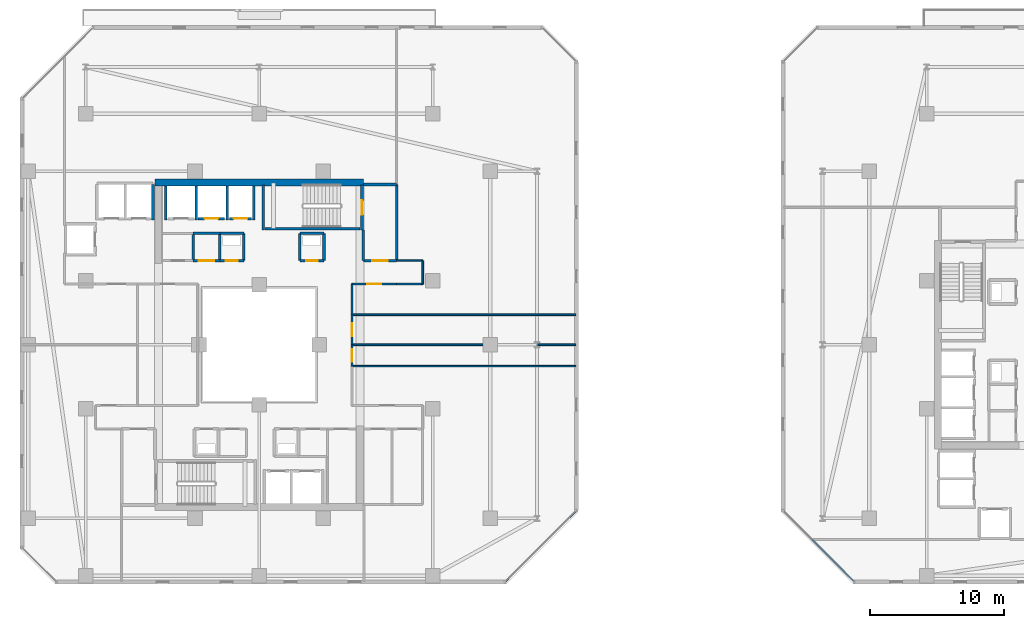
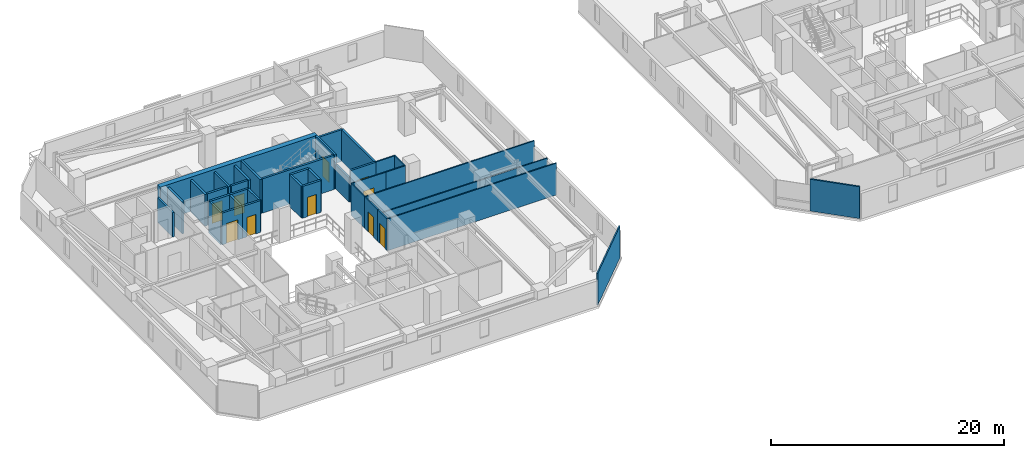
# One storey, part 21 of 33: 38 walls, 10 doors, 10 openings.
"""IFC4 building model written with IfcOpenShell, lengths in metres."""

from ifc_helpers import new_model, si_unit, direction, frame, frame_2d, origin, place, context, subcontext, project, spatial, rectangle, extrude, material, layer, layer_set, type_object, element, fill, save


model = new_model("IFC4")

# Units and contexts
model_context = context("Model", 3, precision=1e-05, world=origin(), true_north=direction((0.0, 1.0)))
body_context = subcontext(model_context, "Body", "Model", "MODEL_VIEW")
ifc_project = project(units=[si_unit("LENGTHUNIT", "METRE"), si_unit("AREAUNIT", "SQUARE_METRE"), si_unit("VOLUMEUNIT", "CUBIC_METRE"), si_unit("PLANEANGLEUNIT", "RADIAN"), si_unit("MASSUNIT", "GRAM", prefix="KILO")], contexts=[model_context])

# Site, building, storey
site_placement = place(None, origin())
site = spatial("IfcSite", under=ifc_project, at=site_placement, CompositionType="ELEMENT")
building_placement = place(site_placement, origin())
building = spatial("IfcBuilding", under=site, at=building_placement, Name="Thornwick Lancets Civic Towers", CompositionType="ELEMENT")
storey_placement = place(building_placement, frame((0.0, 0.0, 185.699951171875)))
storey = spatial("IfcBuildingStorey", under=building, at=storey_placement, Name="L49", CompositionType="ELEMENT", Elevation=185.699951171875)

# Wall, opening, door
ifc_material_1 = material(Name="Concrete blockwork C40/50", Category="masonry")
ifc_layer_1 = layer(ifc_material_1, 0.199951171875, Name="Concrete blockwork C40/50")
ifc_layer_set_1 = layer_set([ifc_layer_1], Name="Concrete blockwork C40/50")
wall_type_1 = type_object("IfcWallType", Name="WALL_COMP_200", PredefinedType="STANDARD", material=ifc_layer_set_1)
wall_1_placement = place(storey_placement, frame((24.919921875, 36.449951171875, 0.0), z_axis=(0.0, 0.0, 1.0), x_axis=(-1.0, 0.0, 0.0)))
wall_1 = element("IfcWall", 1, at=wall_1_placement, inside=storey, type_object=wall_type_1, Name="L49 Hoistway Front Wall FL-A2", PredefinedType="STANDARD", context=body_context, shape_type="SweptSolid", body=[
    extrude(rectangle(XDim=1.639892578125, YDim=0.199951171875, at=frame_2d((0.81982421875, 0.0))), origin(), (0.0, 0.0, 1.0), 3.340087890625),
])
opening_1_placement = place(wall_1_placement, frame((0.31005859375, 0.0, 0.0)))
opening_1 = element("IfcOpeningElement", 2, at=opening_1_placement, cuts=wall_1, Name="Opening LD-FL-A2", PredefinedType="OPENING", context=body_context, shape_type="SweptSolid", body=[
    extrude(rectangle(XDim=1.02001953125, YDim=2.06005859375, at=frame_2d((0.510009765625, 1.030029296875))), frame((0.0, 0.10986328125, 0.0), z_axis=(0.0, -1.0, 0.0), x_axis=(1.0, 0.0, 0.0)), (0.0, 0.0, 1.0), 0.219970703125),
])
ifc_material_2 = material(Name="Brushed bronze stainless steel", Category="steel")
door_type_1 = type_object("IfcDoorType", Name="DOOR_LIFT_SLIDE", OperationType="SLIDING_TO_LEFT", PredefinedType="DOOR", material=ifc_material_2)
door_1_placement = place(opening_1_placement, origin())
door_1 = element("IfcDoor", 3, at=door_1_placement, inside=storey, type_object=door_type_1, Name="L49 Sliding Lift Landing Door LD-FL-A2", OperationType="SLIDING_TO_LEFT", OverallHeight=2.06005859375, OverallWidth=1.02001953125, PredefinedType="DOOR", context=body_context, shape_type="SweptSolid", body=[
    extrude(rectangle(XDim=1.02001953125, YDim=2.06005859375, at=frame_2d((0.510009765625, 1.030029296875))), frame((0.0, 0.02490234375, 0.0), z_axis=(0.0, -1.0, 0.0), x_axis=(1.0, 0.0, 0.0)), (0.0, 0.0, 1.0), 0.050048828125),
])
fill(opening_1, door_1)

wall_2_placement = place(storey_placement, frame((22.919921875, 36.449951171875, 0.0), z_axis=(0.0, 0.0, 1.0), x_axis=(-1.0, 0.0, 0.0)))
wall_2 = element("IfcWall", 4, at=wall_2_placement, inside=storey, type_object=wall_type_1, Name="L49 Hoistway Front Wall PL-AH2", PredefinedType="STANDARD", context=body_context, shape_type="SweptSolid", body=[
    extrude(rectangle(XDim=1.989990234375, YDim=0.199951171875, at=frame_2d((0.9951171875, 0.0))), origin(), (0.0, 0.0, 1.0), 3.340087890625),
])
opening_2_placement = place(wall_2_placement, frame((0.485107421875, 0.0, 0.0)))
opening_2 = element("IfcOpeningElement", 5, at=opening_2_placement, cuts=wall_2, Name="Opening LD-PL-AH2", PredefinedType="OPENING", context=body_context, shape_type="SweptSolid", body=[
    extrude(rectangle(XDim=1.02001953125, YDim=2.06005859375, at=frame_2d((0.510009765625, 1.030029296875))), frame((0.0, 0.10986328125, 0.0), z_axis=(0.0, -1.0, 0.0), x_axis=(1.0, 0.0, 0.0)), (0.0, 0.0, 1.0), 0.219970703125),
])
door_2_placement = place(opening_2_placement, origin())
door_2 = element("IfcDoor", 6, at=door_2_placement, inside=storey, type_object=door_type_1, Name="L49 Sliding Lift Landing Door LD-PL-AH2", OperationType="SLIDING_TO_LEFT", OverallHeight=2.06005859375, OverallWidth=1.02001953125, PredefinedType="DOOR", context=body_context, shape_type="SweptSolid", body=[
    extrude(rectangle(XDim=1.02001953125, YDim=2.06005859375, at=frame_2d((0.510009765625, 1.030029296875))), frame((0.0, 0.02490234375, 0.0), z_axis=(0.0, -1.0, 0.0), x_axis=(1.0, 0.0, 0.0)), (0.0, 0.0, 1.0), 0.050048828125),
])
fill(opening_2, door_2)

# Walls
for number, where, z_axis, x_axis, name in (
    (7, (25.10009765625, 36.35205078125, 0.0), (0.0, 0.0, 1.0), (0.0, 1.0, 0.0), "L49 Hoistway Shaft Wall FL-A2 E"),
    (8, (23.10009765625, 36.35205078125, 0.0), (0.0, 0.0, 1.0), (0.0, 1.0, 0.0), "L49 Hoistway Shaft Wall FL-A2 W"),
    (9, (20.77490234375, 36.35205078125, 0.0), (0.0, 0.0, 1.0), (0.0, 1.0, 0.0), "L49 Hoistway Shaft Wall PL-AH2 W"),
    (10, (18.5, 36.35205078125, 0.0), (0.0, 0.0, 1.0), (0.0, 1.0, 0.0), "L49 Hoistway Shaft Wall PL-AH3 W"),
):
    element("IfcWall", number, at=place(storey_placement, frame(where, z_axis=z_axis, x_axis=x_axis)), inside=storey, type_object=wall_type_1, Name=name, PredefinedType="STANDARD", context=body_context, shape_type="SweptSolid", body=[
        extrude(rectangle(XDim=2.535888671875, YDim=0.199951171875, at=frame_2d((1.26806640625, 0.0))), origin(), (0.0, 0.0, 1.0), 3.340087890625),
    ])
wall_3_placement = place(storey_placement, frame((17.550048828125, 36.35205078125, 0.0), z_axis=(0.0, 0.0, 1.0), x_axis=(0.0, 1.0, 0.0)))
element("IfcWall", 11, at=wall_3_placement, inside=storey, type_object=wall_type_1, Name="L49 Hoistway Shaft Wall PL-AM1 E", PredefinedType="STANDARD", context=body_context, shape_type="SweptSolid", body=[
    extrude(rectangle(XDim=2.635986328125, YDim=0.199951171875, at=frame_2d((1.31787109375, 0.0))), origin(), (0.0, 0.0, 1.0), 2.545166015625),
])

# Wall, opening, door
wall_4_placement = place(storey_placement, frame((33.300048828125, 33.300048828125, 0.0), z_axis=(0.0, 0.0, 1.0), x_axis=(1.0, 0.0, 0.0)))
wall_4 = element("IfcWall", 12, at=wall_4_placement, inside=storey, type_object=wall_type_1, Name="L49 Partition L49-A-FFLOB2 E1", PredefinedType="STANDARD", context=body_context, shape_type="SweptSolid", body=[
    extrude(rectangle(XDim=2.5, YDim=0.199951171875, at=frame_2d((1.25, 0.0))), origin(), (0.0, 0.0, 1.0), 3.340087890625),
])
opening_3_placement = place(wall_4_placement, frame((0.675048828125, 0.0, 0.0)))
opening_3 = element("IfcOpeningElement", 13, at=opening_3_placement, cuts=wall_4, Name="Opening D-L49-2162", PredefinedType="OPENING", context=body_context, shape_type="SweptSolid", body=[
    extrude(rectangle(XDim=1.14990234375, YDim=2.10009765625, at=frame_2d((0.574951171875, 1.050048828125))), frame((0.0, 0.10986328125, 0.0), z_axis=(0.0, -1.0, 0.0), x_axis=(1.0, 0.0, 0.0)), (0.0, 0.0, 1.0), 0.219970703125),
])
ifc_material_3 = material(Name="Glazed fire-resisting steel", Category="steel")
door_type_2 = type_object("IfcDoorType", Name="DOOR_LOBBY_FD60", OperationType="NOTDEFINED", PredefinedType="DOOR", material=ifc_material_3)
door_3_placement = place(opening_3_placement, origin())
door_3 = element("IfcDoor", 14, at=door_3_placement, inside=storey, type_object=door_type_2, Name="L49 North Firefighting Lobby 2 Door", OperationType="SINGLE_SWING_LEFT", OverallHeight=2.10009765625, OverallWidth=1.14990234375, PredefinedType="DOOR", context=body_context, shape_type="SweptSolid", body=[
    extrude(rectangle(XDim=1.14990234375, YDim=2.10009765625, at=frame_2d((0.574951171875, 1.050048828125))), frame((0.0, 0.02490234375, 0.0), z_axis=(0.0, -1.0, 0.0), x_axis=(1.0, 0.0, 0.0)), (0.0, 0.0, 1.0), 0.050048828125),
])
fill(opening_3, door_3)

# Walls
wall_5_placement = place(storey_placement, frame((35.800048828125, 33.300048828125, 0.0), z_axis=(0.0, 0.0, 1.0), x_axis=(0.0, 1.0, 0.0)))
element("IfcWall", 15, at=wall_5_placement, inside=storey, type_object=wall_type_1, Name="L49 Partition L49-A-FFLOB2 E2", PredefinedType="STANDARD", context=body_context, shape_type="SweptSolid", body=[
    extrude(rectangle(XDim=5.699951171875, YDim=0.199951171875, at=frame_2d((2.85009765625, 0.0))), origin(), (0.0, 0.0, 1.0), 3.340087890625),
])
wall_6_placement = place(storey_placement, frame((35.800048828125, 39.0, 0.0), z_axis=(0.0, 0.0, 1.0), x_axis=(-1.0, 0.0, 0.0)))
element("IfcWall", 16, at=wall_6_placement, inside=storey, type_object=wall_type_1, Name="L49 Partition L49-A-FFLOB2 E3", PredefinedType="STANDARD", context=body_context, shape_type="SweptSolid", body=[
    extrude(rectangle(XDim=2.5, YDim=0.199951171875, at=frame_2d((1.25, 0.0))), origin(), (0.0, 0.0, 1.0), 3.340087890625),
])
wall_7_placement = place(storey_placement, frame((33.300048828125, 35.60009765625, 0.0), z_axis=(0.0, 0.0, 1.0), x_axis=(0.0, -1.0, 0.0)))
element("IfcWall", 17, at=wall_7_placement, inside=storey, type_object=wall_type_1, Name="L49 Partition L49-A-FFLOB2 E4", PredefinedType="STANDARD", context=body_context, shape_type="SweptSolid", body=[
    extrude(rectangle(XDim=2.300048828125, YDim=0.199951171875, at=frame_2d((1.14990234375, 0.0))), origin(), (0.0, 0.0, 1.0), 2.545166015625),
])

# Wall, opening, door
wall_8_placement = place(storey_placement, frame((22.550048828125, 33.300048828125, 0.0), z_axis=(0.0, 0.0, 1.0), x_axis=(1.0, 0.0, 0.0)))
wall_8 = element("IfcWall", 18, at=wall_8_placement, inside=storey, type_object=wall_type_1, Name="L49 Partition L49-A-DUCT2 E1", PredefinedType="STANDARD", context=body_context, shape_type="SweptSolid", body=[
    extrude(rectangle(XDim=1.800048828125, YDim=0.199951171875, at=frame_2d((0.89990234375, 0.0))), origin(), (0.0, 0.0, 1.0), 3.340087890625),
])
opening_4_placement = place(wall_8_placement, frame((0.4599609375, 0.0, 0.0)))
opening_4 = element("IfcOpeningElement", 19, at=opening_4_placement, cuts=wall_8, Name="Opening D-L49-2165", PredefinedType="OPENING", context=body_context, shape_type="SweptSolid", body=[
    extrude(rectangle(XDim=0.8798828125, YDim=2.0400390625, at=frame_2d((0.43994140625, 1.02001953125))), frame((0.0, 0.10986328125, 0.0), z_axis=(0.0, -1.0, 0.0), x_axis=(1.0, 0.0, 0.0)), (0.0, 0.0, 1.0), 0.219970703125),
])
ifc_material_4 = material(Name="Steel riser access doorset", Category="steel")
door_type_3 = type_object("IfcDoorType", Name="DOOR_RISER_850", OperationType="NOTDEFINED", PredefinedType="DOOR", material=ifc_material_4)
door_4_placement = place(opening_4_placement, origin())
door_4 = element("IfcDoor", 20, at=door_4_placement, inside=storey, type_object=door_type_3, Name="L49 North Service Duct 2 Door", OperationType="SINGLE_SWING_RIGHT", OverallHeight=2.0400390625, OverallWidth=0.8798828125, PredefinedType="DOOR", context=body_context, shape_type="SweptSolid", body=[
    extrude(rectangle(XDim=0.8798828125, YDim=2.0400390625, at=frame_2d((0.43994140625, 1.02001953125))), frame((0.0, 0.02490234375, 0.0), z_axis=(0.0, -1.0, 0.0), x_axis=(1.0, 0.0, 0.0)), (0.0, 0.0, 1.0), 0.050048828125),
])
fill(opening_4, door_4)

# Walls
wall_9_placement = place(storey_placement, frame((24.35009765625, 33.300048828125, 0.0), z_axis=(0.0, 0.0, 1.0), x_axis=(0.0, 1.0, 0.0)))
element("IfcWall", 21, at=wall_9_placement, inside=storey, type_object=wall_type_1, Name="L49 Partition L49-A-DUCT2 E2", PredefinedType="STANDARD", context=body_context, shape_type="SweptSolid", body=[
    extrude(rectangle(XDim=2.050048828125, YDim=0.199951171875, at=frame_2d((1.02490234375, 0.0))), origin(), (0.0, 0.0, 1.0), 3.340087890625),
])
wall_10_placement = place(storey_placement, frame((24.35009765625, 35.35009765625, 0.0), z_axis=(0.0, 0.0, 1.0), x_axis=(-1.0, 0.0, 0.0)))
element("IfcWall", 22, at=wall_10_placement, inside=storey, type_object=wall_type_1, Name="L49 Partition L49-A-DUCT2 E3", PredefinedType="STANDARD", context=body_context, shape_type="SweptSolid", body=[
    extrude(rectangle(XDim=1.800048828125, YDim=0.199951171875, at=frame_2d((0.89990234375, 0.0))), origin(), (0.0, 0.0, 1.0), 3.340087890625),
])
wall_11_placement = place(storey_placement, frame((22.550048828125, 35.35009765625, 0.0), z_axis=(0.0, 0.0, 1.0), x_axis=(0.0, -1.0, 0.0)))
element("IfcWall", 23, at=wall_11_placement, inside=storey, type_object=wall_type_1, Name="L49 Partition L49-A-DUCT2 E4", PredefinedType="STANDARD", context=body_context, shape_type="SweptSolid", body=[
    extrude(rectangle(XDim=2.050048828125, YDim=0.199951171875, at=frame_2d((1.02490234375, 0.0))), origin(), (0.0, 0.0, 1.0), 3.340087890625),
])

# Wall, opening, door
wall_12_placement = place(storey_placement, frame((28.550048828125, 33.300048828125, 0.0), z_axis=(0.0, 0.0, 1.0), x_axis=(1.0, 0.0, 0.0)))
wall_12 = element("IfcWall", 24, at=wall_12_placement, inside=storey, type_object=wall_type_1, Name="L49 Partition L49-A-RISER2 E1", PredefinedType="STANDARD", context=body_context, shape_type="SweptSolid", body=[
    extrude(rectangle(XDim=1.800048828125, YDim=0.199951171875, at=frame_2d((0.89990234375, 0.0))), origin(), (0.0, 0.0, 1.0), 3.340087890625),
])
opening_5_placement = place(wall_12_placement, frame((0.4599609375, 0.0, 0.0)))
opening_5 = element("IfcOpeningElement", 25, at=opening_5_placement, cuts=wall_12, Name="Opening D-L49-2166", PredefinedType="OPENING", context=body_context, shape_type="SweptSolid", body=[
    extrude(rectangle(XDim=0.8798828125, YDim=2.0400390625, at=frame_2d((0.43994140625, 1.02001953125))), frame((0.0, 0.10986328125, 0.0), z_axis=(0.0, -1.0, 0.0), x_axis=(1.0, 0.0, 0.0)), (0.0, 0.0, 1.0), 0.219970703125),
])
door_5_placement = place(opening_5_placement, origin())
door_5 = element("IfcDoor", 26, at=door_5_placement, inside=storey, type_object=door_type_3, Name="L49 North Service Riser 2 Door", OperationType="SINGLE_SWING_LEFT", OverallHeight=2.0400390625, OverallWidth=0.8798828125, PredefinedType="DOOR", context=body_context, shape_type="SweptSolid", body=[
    extrude(rectangle(XDim=0.8798828125, YDim=2.0400390625, at=frame_2d((0.43994140625, 1.02001953125))), frame((0.0, 0.02490234375, 0.0), z_axis=(0.0, -1.0, 0.0), x_axis=(1.0, 0.0, 0.0)), (0.0, 0.0, 1.0), 0.050048828125),
])
fill(opening_5, door_5)

# Walls
wall_13_placement = place(storey_placement, frame((30.35009765625, 33.300048828125, 0.0), z_axis=(0.0, 0.0, 1.0), x_axis=(0.0, 1.0, 0.0)))
element("IfcWall", 27, at=wall_13_placement, inside=storey, type_object=wall_type_1, Name="L49 Partition L49-A-RISER2 E2", PredefinedType="STANDARD", context=body_context, shape_type="SweptSolid", body=[
    extrude(rectangle(XDim=2.050048828125, YDim=0.199951171875, at=frame_2d((1.02490234375, 0.0))), origin(), (0.0, 0.0, 1.0), 3.340087890625),
])
wall_14_placement = place(storey_placement, frame((30.35009765625, 35.35009765625, 0.0), z_axis=(0.0, 0.0, 1.0), x_axis=(-1.0, 0.0, 0.0)))
element("IfcWall", 28, at=wall_14_placement, inside=storey, type_object=wall_type_1, Name="L49 Partition L49-A-RISER2 E3", PredefinedType="STANDARD", context=body_context, shape_type="SweptSolid", body=[
    extrude(rectangle(XDim=1.800048828125, YDim=0.199951171875, at=frame_2d((0.89990234375, 0.0))), origin(), (0.0, 0.0, 1.0), 3.340087890625),
])
for number, where, z_axis, x_axis, name in (
    (29, (28.550048828125, 35.35009765625, 0.0), (0.0, 0.0, 1.0), (0.0, -1.0, 0.0), "L49 Partition L49-A-RISER2 E4"),
    (30, (20.550048828125, 33.300048828125, 0.0), (0.0, 0.0, 1.0), (0.0, 1.0, 0.0), "L49 Partition L49-A-STR E1"),
):
    element("IfcWall", number, at=place(storey_placement, frame(where, z_axis=z_axis, x_axis=x_axis)), inside=storey, type_object=wall_type_1, Name=name, PredefinedType="STANDARD", context=body_context, shape_type="SweptSolid", body=[
        extrude(rectangle(XDim=2.050048828125, YDim=0.199951171875, at=frame_2d((1.02490234375, 0.0))), origin(), (0.0, 0.0, 1.0), 3.340087890625),
    ])
wall_15_placement = place(storey_placement, frame((20.550048828125, 35.35009765625, 0.0), z_axis=(0.0, 0.0, 1.0), x_axis=(1.0, 0.0, 0.0)))
element("IfcWall", 31, at=wall_15_placement, inside=storey, type_object=wall_type_1, Name="L49 Partition L49-A-STR E2", PredefinedType="STANDARD", context=body_context, shape_type="SweptSolid", body=[
    extrude(rectangle(XDim=2.0, YDim=0.199951171875, at=frame_2d((1.0, 0.0))), origin(), (0.0, 0.0, 1.0), 3.340087890625),
])

# Wall, opening, door
wall_16_placement = place(storey_placement, frame((22.550048828125, 33.300048828125, 0.0), z_axis=(0.0, 0.0, 1.0), x_axis=(-1.0, 0.0, 0.0)))
wall_16 = element("IfcWall", 32, at=wall_16_placement, inside=storey, type_object=wall_type_1, Name="L49 Partition L49-A-STR E4", PredefinedType="STANDARD", context=body_context, shape_type="SweptSolid", body=[
    extrude(rectangle(XDim=2.0, YDim=0.199951171875, at=frame_2d((1.0, 0.0))), origin(), (0.0, 0.0, 1.0), 3.340087890625),
])
opening_6_placement = place(wall_16_placement, frame((0.425048828125, 0.0, 0.0)))
opening_6 = element("IfcOpeningElement", 33, at=opening_6_placement, cuts=wall_16, Name="Opening D-L49-2171", PredefinedType="OPENING", context=body_context, shape_type="SweptSolid", body=[
    extrude(rectangle(XDim=1.14990234375, YDim=2.10009765625, at=frame_2d((0.574951171875, 1.050048828125))), frame((0.0, 0.10986328125, 0.0), z_axis=(0.0, -1.0, 0.0), x_axis=(1.0, 0.0, 0.0)), (0.0, 0.0, 1.0), 0.219970703125),
])
door_6_placement = place(opening_6_placement, origin())
door_6 = element("IfcDoor", 34, at=door_6_placement, inside=storey, type_object=door_type_2, Name="L49 Tower A Core Records Store Door", OperationType="SINGLE_SWING_RIGHT", OverallHeight=2.10009765625, OverallWidth=1.14990234375, PredefinedType="DOOR", context=body_context, shape_type="SweptSolid", body=[
    extrude(rectangle(XDim=1.14990234375, YDim=2.10009765625, at=frame_2d((0.574951171875, 1.050048828125))), frame((0.0, 0.02490234375, 0.0), z_axis=(0.0, -1.0, 0.0), x_axis=(1.0, 0.0, 0.0)), (0.0, 0.0, 1.0), 0.050048828125),
])
fill(opening_6, door_6)

# Walls
ifc_material_5 = material(Name="Concrete C50/60", Category="concrete")
ifc_layer_2 = layer(ifc_material_5, 0.5, Name="Concrete C50/60")
ifc_layer_set_2 = layer_set([ifc_layer_2], Name="Concrete C50/60")
wall_type_2 = type_object("IfcWallType", Name="WALL_CORE_500", PredefinedType="SHEAR", material=ifc_layer_set_2)
wall_17_placement = place(storey_placement, frame((17.699951171875, 39.14990234375, 0.0), z_axis=(0.0, 0.0, 1.0), x_axis=(1.0, 0.0, 0.0)))
element("IfcWall", 35, at=wall_17_placement, inside=storey, type_object=wall_type_2, Name="L49 Split Core A2 Shear Wall N", PredefinedType="SHEAR", context=body_context, shape_type="SweptSolid", body=[
    extrude(rectangle(XDim=15.60009765625, YDim=0.5, at=frame_2d((7.800048828125, 0.0))), origin(), (0.0, 0.0, 1.0), 3.60009765625),
])
ifc_material_6 = material(Name="Acoustic gypsum board partition")
ifc_layer_3 = layer(ifc_material_6, 0.1201171875, Name="Acoustic gypsum board partition")
ifc_layer_set_3 = layer_set([ifc_layer_3], Name="Acoustic gypsum board partition")
wall_type_3 = type_object("IfcWallType", Name="WALL_PART_120", PredefinedType="PARTITIONING", material=ifc_layer_set_3)
wall_18_placement = place(storey_placement, frame((32.449951171875, 25.39990234375, 0.0), z_axis=(0.0, 0.0, 1.0), x_axis=(1.0, 0.0, 0.0)))
element("IfcWall", 36, at=wall_18_placement, inside=storey, type_object=wall_type_3, Name="L49 Partition L49-A-E1 E7", PredefinedType="PARTITIONING", context=body_context, shape_type="SweptSolid", body=[
    extrude(rectangle(XDim=16.77001953125, YDim=0.1201171875, at=frame_2d((8.385009765625, 0.0))), origin(), (0.0, 0.0, 1.0), 3.340087890625),
])
wall_19_placement = place(storey_placement, frame((49.219970703125, 14.543701171875, 0.0), z_axis=(0.0, 0.0, 1.0), x_axis=(-0.707106781187, -0.707106781187, 0.0)))
element("IfcWall", 37, at=wall_19_placement, inside=storey, type_object=wall_type_3, Name="L49 Partition L49-A-E1 E9", PredefinedType="PARTITIONING", context=body_context, shape_type="SweptSolid", body=[
    extrude(rectangle(XDim=7.44384765625, YDim=0.1201171875, at=frame_2d((3.721923828125, 0.0))), origin(), (0.0, 0.0, 1.0), 3.340087890625),
])

# Wall, opening, door
wall_20_placement = place(storey_placement, frame((32.449951171875, 25.39990234375, 0.0), z_axis=(0.0, 0.0, 1.0), x_axis=(0.0, 1.0, 0.0)))
wall_20 = element("IfcWall", 38, at=wall_20_placement, inside=storey, type_object=wall_type_3, Name="L49 Partition L49-A-E2 E1", PredefinedType="PARTITIONING", context=body_context, shape_type="SweptSolid", body=[
    extrude(rectangle(XDim=1.60009765625, YDim=0.1201171875, at=frame_2d((0.800048828125, 0.0))), origin(), (0.0, 0.0, 1.0), 3.340087890625),
])
opening_7_placement = place(wall_20_placement, frame((0.324951171875, 0.0, 0.0)))
opening_7 = element("IfcOpeningElement", 39, at=opening_7_placement, cuts=wall_20, Name="Opening D-L49-2189", PredefinedType="OPENING", context=body_context, shape_type="SweptSolid", body=[
    extrude(rectangle(XDim=0.949951171875, YDim=2.10009765625, at=frame_2d((0.47509765625, 1.050048828125))), frame((0.0, 0.070068359375, 0.0), z_axis=(0.0, -1.0, 0.0), x_axis=(1.0, 0.0, 0.0)), (0.0, 0.0, 1.0), 0.14013671875),
])
ifc_material_7 = material(Name="European oak acoustic doorset")
door_type_4 = type_object("IfcDoorType", Name="DOOR_OFFICE_950", OperationType="NOTDEFINED", PredefinedType="DOOR", material=ifc_material_7)
door_7_placement = place(opening_7_placement, origin())
door_7 = element("IfcDoor", 40, at=door_7_placement, inside=storey, type_object=door_type_4, Name="L49 Tower A Visitors Reception and Waiting Door", OperationType="SINGLE_SWING_RIGHT", OverallHeight=2.10009765625, OverallWidth=0.949951171875, PredefinedType="DOOR", context=body_context, shape_type="SweptSolid", body=[
    extrude(rectangle(XDim=0.949951171875, YDim=2.10009765625, at=frame_2d((0.47509765625, 1.050048828125))), frame((0.0, 0.02490234375, 0.0), z_axis=(0.0, -1.0, 0.0), x_axis=(1.0, 0.0, 0.0)), (0.0, 0.0, 1.0), 0.050048828125),
])
fill(opening_7, door_7)

# Wall
wall_21_placement = place(storey_placement, frame((32.449951171875, 27.0, 0.0), z_axis=(0.0, 0.0, 1.0), x_axis=(1.0, 0.0, 0.0)))
element("IfcWall", 41, at=wall_21_placement, inside=storey, type_object=wall_type_3, Name="L49 Partition L49-A-E2 E2", PredefinedType="PARTITIONING", context=body_context, shape_type="SweptSolid", body=[
    extrude(rectangle(XDim=16.77001953125, YDim=0.1201171875, at=frame_2d((8.385009765625, 0.0))), origin(), (0.0, 0.0, 1.0), 2.8779296875),
])

# Wall, opening, door
wall_22_placement = place(storey_placement, frame((32.449951171875, 27.0, 0.0), z_axis=(0.0, 0.0, 1.0), x_axis=(0.0, 1.0, 0.0)))
wall_22 = element("IfcWall", 42, at=wall_22_placement, inside=storey, type_object=wall_type_3, Name="L49 Partition L49-A-E3 E1", PredefinedType="PARTITIONING", context=body_context, shape_type="SweptSolid", body=[
    extrude(rectangle(XDim=2.25, YDim=0.1201171875, at=frame_2d((1.125, 0.0))), origin(), (0.0, 0.0, 1.0), 3.340087890625),
])
opening_8_placement = place(wall_22_placement, frame((0.64990234375, 0.0, 0.0)))
opening_8 = element("IfcOpeningElement", 43, at=opening_8_placement, cuts=wall_22, Name="Opening D-L49-2190", PredefinedType="OPENING", context=body_context, shape_type="SweptSolid", body=[
    extrude(rectangle(XDim=0.949951171875, YDim=2.10009765625, at=frame_2d((0.47509765625, 1.050048828125))), frame((0.0, 0.070068359375, 0.0), z_axis=(0.0, -1.0, 0.0), x_axis=(1.0, 0.0, 0.0)), (0.0, 0.0, 1.0), 0.14013671875),
])
door_8_placement = place(opening_8_placement, origin())
door_8 = element("IfcDoor", 44, at=door_8_placement, inside=storey, type_object=door_type_4, Name="L49 Tower A Civic Seminar Room Door", OperationType="SINGLE_SWING_LEFT", OverallHeight=2.10009765625, OverallWidth=0.949951171875, PredefinedType="DOOR", context=body_context, shape_type="SweptSolid", body=[
    extrude(rectangle(XDim=0.949951171875, YDim=2.10009765625, at=frame_2d((0.47509765625, 1.050048828125))), frame((0.0, 0.02490234375, 0.0), z_axis=(0.0, -1.0, 0.0), x_axis=(1.0, 0.0, 0.0)), (0.0, 0.0, 1.0), 0.050048828125),
])
fill(opening_8, door_8)

# Wall
wall_23_placement = place(storey_placement, frame((32.449951171875, 29.25, 0.0), z_axis=(0.0, 0.0, 1.0), x_axis=(1.0, 0.0, 0.0)))
element("IfcWall", 45, at=wall_23_placement, inside=storey, type_object=wall_type_3, Name="L49 Partition L49-A-E3 E2", PredefinedType="PARTITIONING", context=body_context, shape_type="SweptSolid", body=[
    extrude(rectangle(XDim=16.77001953125, YDim=0.1201171875, at=frame_2d((8.385009765625, 0.0))), origin(), (0.0, 0.0, 1.0), 3.340087890625),
])

# Wall, opening, door
wall_24_placement = place(storey_placement, frame((32.449951171875, 31.550048828125, 0.0), z_axis=(0.0, 0.0, 1.0), x_axis=(1.0, 0.0, 0.0)))
wall_24 = element("IfcWall", 46, at=wall_24_placement, inside=storey, type_object=wall_type_3, Name="L49 Partition L49-A-E4 E1", PredefinedType="PARTITIONING", context=body_context, shape_type="SweptSolid", body=[
    extrude(rectangle(XDim=3.35009765625, YDim=0.1201171875, at=frame_2d((1.675048828125, 0.0))), origin(), (0.0, 0.0, 1.0), 3.340087890625),
])
opening_9_placement = place(wall_24_placement, frame((1.14990234375, 0.0, 0.0)))
opening_9 = element("IfcOpeningElement", 47, at=opening_9_placement, cuts=wall_24, Name="Opening D-L49-2191", PredefinedType="OPENING", context=body_context, shape_type="SweptSolid", body=[
    extrude(rectangle(XDim=1.050048828125, YDim=2.10009765625, at=frame_2d((0.52490234375, 1.050048828125))), frame((0.0, 0.070068359375, 0.0), z_axis=(0.0, -1.0, 0.0), x_axis=(1.0, 0.0, 0.0)), (0.0, 0.0, 1.0), 0.14013671875),
])
ifc_material_8 = material(Name="Glazed European oak executive doorset")
door_type_5 = type_object("IfcDoorType", Name="DOOR_OFFICE_1050", OperationType="NOTDEFINED", PredefinedType="DOOR", material=ifc_material_8)
door_9_placement = place(opening_9_placement, origin())
door_9 = element("IfcDoor", 48, at=door_9_placement, inside=storey, type_object=door_type_5, Name="L49 Tower A Counsel Chambers Office E4 Door", OperationType="SINGLE_SWING_RIGHT", OverallHeight=2.10009765625, OverallWidth=1.050048828125, PredefinedType="DOOR", context=body_context, shape_type="SweptSolid", body=[
    extrude(rectangle(XDim=1.050048828125, YDim=2.10009765625, at=frame_2d((0.52490234375, 1.050048828125))), frame((0.0, 0.02490234375, 0.0), z_axis=(0.0, -1.0, 0.0), x_axis=(1.0, 0.0, 0.0)), (0.0, 0.0, 1.0), 0.050048828125),
])
fill(opening_9, door_9)

# Walls
wall_25_placement = place(storey_placement, frame((35.800048828125, 31.550048828125, 0.0), z_axis=(0.0, 0.0, 1.0), x_axis=(1.0, 0.0, 0.0)))
element("IfcWall", 49, at=wall_25_placement, inside=storey, type_object=wall_type_3, Name="L49 Partition L49-A-E4 E2", PredefinedType="PARTITIONING", context=body_context, shape_type="SweptSolid", body=[
    extrude(rectangle(XDim=1.949951171875, YDim=0.1201171875, at=frame_2d((0.97509765625, 0.0))), origin(), (0.0, 0.0, 1.0), 3.340087890625),
])
wall_26_placement = place(storey_placement, frame((37.75, 31.550048828125, 0.0), z_axis=(0.0, 0.0, 1.0), x_axis=(0.0, 1.0, 0.0)))
element("IfcWall", 50, at=wall_26_placement, inside=storey, type_object=wall_type_3, Name="L49 Partition L49-A-E4 E3", PredefinedType="PARTITIONING", context=body_context, shape_type="SweptSolid", body=[
    extrude(rectangle(XDim=1.75, YDim=0.1201171875, at=frame_2d((0.875, 0.0))), origin(), (0.0, 0.0, 1.0), 3.340087890625),
])
wall_27_placement = place(storey_placement, frame((37.75, 33.300048828125, 0.0), z_axis=(0.0, 0.0, 1.0), x_axis=(-1.0, 0.0, 0.0)))
element("IfcWall", 51, at=wall_27_placement, inside=storey, type_object=wall_type_3, Name="L49 Partition L49-A-E4 E4", PredefinedType="PARTITIONING", context=body_context, shape_type="SweptSolid", body=[
    extrude(rectangle(XDim=1.949951171875, YDim=0.1201171875, at=frame_2d((0.97509765625, 0.0))), origin(), (0.0, 0.0, 1.0), 3.340087890625),
])
wall_28_placement = place(storey_placement, frame((32.449951171875, 29.25, 0.0), z_axis=(0.0, 0.0, 1.0), x_axis=(0.0, 1.0, 0.0)))
element("IfcWall", 52, at=wall_28_placement, inside=storey, type_object=wall_type_3, Name="L49 Partition L49-A-E4 E11", PredefinedType="PARTITIONING", context=body_context, shape_type="SweptSolid", body=[
    extrude(rectangle(XDim=2.300048828125, YDim=0.1201171875, at=frame_2d((1.14990234375, 0.0))), origin(), (0.0, 0.0, 1.0), 3.340087890625),
])
ifc_material_9 = material(Name="Twin-stud acoustic gypsum board")
ifc_layer_4 = layer(ifc_material_9, 0.14990234375, Name="Twin-stud acoustic gypsum board")
ifc_layer_set_4 = layer_set([ifc_layer_4], Name="Twin-stud acoustic gypsum board")
wall_type_4 = type_object("IfcWallType", Name="WALL_PART_150", PredefinedType="PARTITIONING", material=ifc_layer_set_4)
wall_29_placement = place(storey_placement, frame((70.043701171875, 9.280029296875, 0.0), z_axis=(0.0, 0.0, 1.0), x_axis=(-0.707134446312, 0.707079114978, 0.0)))
element("IfcWall", 53, at=wall_29_placement, inside=storey, type_object=wall_type_4, Name="L49 Partition L49-B-W2 E5", PredefinedType="PARTITIONING", context=body_context, shape_type="SweptSolid", body=[
    extrude(rectangle(XDim=4.412353515625, YDim=0.14990234375, at=frame_2d((2.2060546875, 0.0))), origin(), (0.0, 0.0, 1.0), 3.340087890625),
])

# Wall, opening, door
ifc_material_10 = material(Name="Concrete C40/50", Category="concrete")
ifc_layer_5 = layer(ifc_material_10, 0.199951171875, Name="Concrete C40/50")
ifc_layer_set_5 = layer_set([ifc_layer_5], Name="Concrete C40/50")
wall_type_5 = type_object("IfcWallType", Name="WALL_SHAFT_200", PredefinedType="SHEAR", material=ifc_layer_set_5)
wall_30_placement = place(storey_placement, frame((33.199951171875, 38.949951171875, 0.0), z_axis=(0.0, 0.0, 1.0), x_axis=(0.0, -1.0, 0.0)))
wall_30 = element("IfcWall", 54, at=wall_30_placement, inside=storey, type_object=wall_type_5, Name="L49 ST-A2 Fire Stair Core Wall NEAR", PredefinedType="SHEAR", context=body_context, shape_type="SweptSolid", body=[
    extrude(rectangle(XDim=3.349853515625, YDim=0.199951171875, at=frame_2d((1.6748046875, 0.0))), origin(), (0.0, 0.0, 1.0), 3.60009765625),
])
opening_10_placement = place(wall_30_placement, frame((1.125, 0.0, 0.0)))
opening_10 = element("IfcOpeningElement", 55, at=opening_10_placement, cuts=wall_30, Name="Opening D-ST-A2-L49", PredefinedType="OPENING", context=body_context, shape_type="SweptSolid", body=[
    extrude(rectangle(XDim=1.10009765625, YDim=2.10009765625, at=frame_2d((0.550048828125, 1.050048828125))), frame((0.0, 0.10986328125, 0.0), z_axis=(0.0, -1.0, 0.0), x_axis=(1.0, 0.0, 0.0)), (0.0, 0.0, 1.0), 0.219970703125),
])
ifc_material_11 = material(Name="Fire-resisting steel and hardwood", Category="steel")
door_type_6 = type_object("IfcDoorType", Name="DOOR_STAIR_FD60", OperationType="NOTDEFINED", PredefinedType="DOOR", material=ifc_material_11)
door_10_placement = place(opening_10_placement, origin())
door_10 = element("IfcDoor", 56, at=door_10_placement, inside=storey, type_object=door_type_6, Name="L49 ST-A2 Exit Stair Door", OperationType="SINGLE_SWING_LEFT", OverallHeight=2.10009765625, OverallWidth=1.10009765625, PredefinedType="DOOR", context=body_context, shape_type="SweptSolid", body=[
    extrude(rectangle(XDim=1.10009765625, YDim=2.10009765625, at=frame_2d((0.550048828125, 1.050048828125))), frame((0.0, 0.02490234375, 0.0), z_axis=(0.0, -1.0, 0.0), x_axis=(1.0, 0.0, 0.0)), (0.0, 0.0, 1.0), 0.050048828125),
])
fill(opening_10, door_10)

# Walls
wall_31_placement = place(storey_placement, frame((25.800048828125, 35.60009765625, 0.0), z_axis=(0.0, 0.0, 1.0), x_axis=(0.0, 1.0, 0.0)))
element("IfcWall", 57, at=wall_31_placement, inside=storey, type_object=wall_type_5, Name="L49 ST-A2 Fire Stair Core Wall FAR", PredefinedType="SHEAR", context=body_context, shape_type="SweptSolid", body=[
    extrude(rectangle(XDim=3.349853515625, YDim=0.199951171875, at=frame_2d((1.6748046875, 0.0))), origin(), (0.0, 0.0, 1.0), 3.60009765625),
])
wall_32_placement = place(storey_placement, frame((25.949951171875, 35.702880859375, 0.0), z_axis=(0.0, 0.0, 1.0), x_axis=(1.0, 0.0, 0.0)))
element("IfcWall", 58, at=wall_32_placement, inside=storey, type_object=wall_type_5, Name="L49 ST-A2 Fire Stair Core Wall RIGHT", PredefinedType="SHEAR", context=body_context, shape_type="SweptSolid", body=[
    extrude(rectangle(XDim=7.10009765625, YDim=0.199951171875, at=frame_2d((3.550048828125, 0.0))), origin(), (0.0, 0.0, 1.0), 3.60009765625),
])

save(model, "model.ifc")
